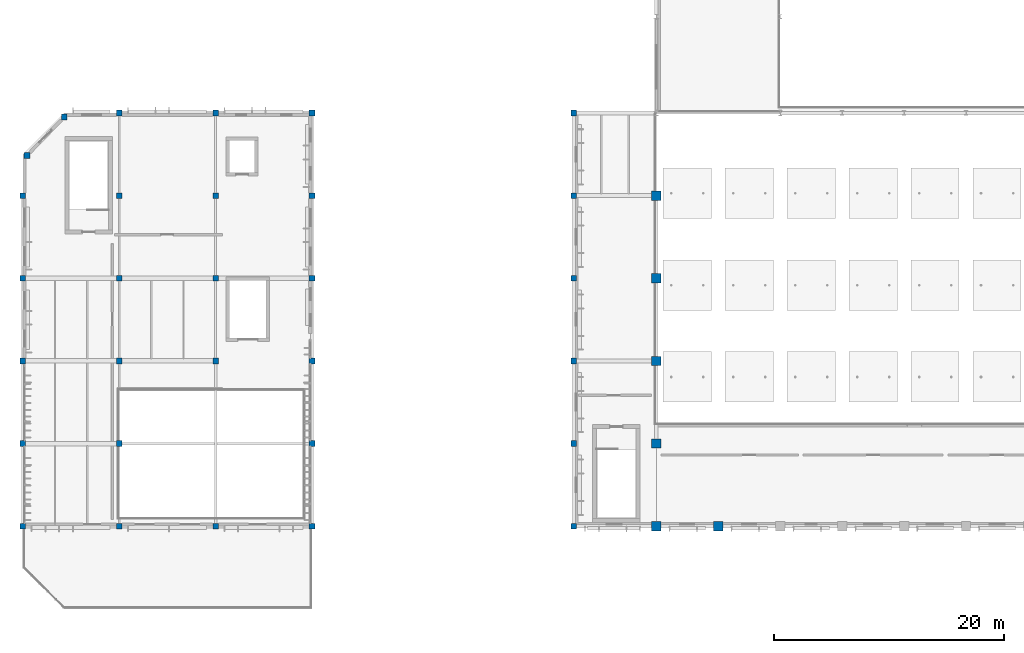
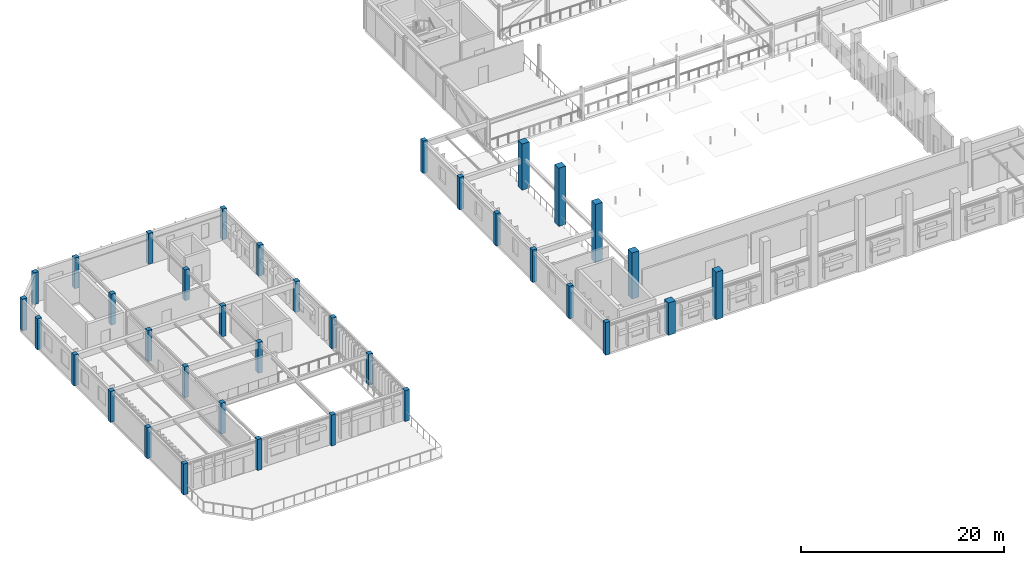
# One storey, part 1 of 44: 36 columns.
"""IFC4 building model written with IfcOpenShell, lengths in metres."""

from ifc_helpers import new_model, si_unit, direction, frame, origin, origin_2d, place, context, subcontext, project, spatial, rectangle, extrude, material, material_profile, profile_set, type_object, element, save


model = new_model("IFC4")

# Units and contexts
model_context = context("Model", 3, precision=1e-05, world=origin(), true_north=direction((0.0, 1.0)))
body_context = subcontext(model_context, "Body", "Model", "MODEL_VIEW")
ifc_project = project(units=[si_unit("LENGTHUNIT", "METRE"), si_unit("AREAUNIT", "SQUARE_METRE"), si_unit("VOLUMEUNIT", "CUBIC_METRE"), si_unit("PLANEANGLEUNIT", "RADIAN"), si_unit("MASSUNIT", "GRAM", prefix="KILO")], contexts=[model_context])

# Site, building, storey
site_placement = place(None, origin())
site = spatial("IfcSite", under=ifc_project, at=site_placement, CompositionType="ELEMENT")
building_placement = place(site_placement, origin())
building = spatial("IfcBuilding", under=site, at=building_placement, Name="Tazoul Stagehouse", CompositionType="ELEMENT")
storey_placement = place(building_placement, frame((0.0, 0.0, 13.199951171875)))
storey = spatial("IfcBuildingStorey", under=building, at=storey_placement, Name="L03", CompositionType="ELEMENT", Elevation=13.199951171875)

# Columns
ifc_material = material(Name="Concrete C40/50", Category="concrete")
ifc_material_profile_1 = material_profile(ifc_material, rectangle(XDim=0.5, YDim=0.5, at=origin_2d()), Name="RC 500x500")
ifc_profile_set_1 = profile_set([ifc_material_profile_1], Name="Concrete C40/50")
column_type_1 = type_object("IfcColumnType", Name="RC Column 500x500", PredefinedType="COLUMN", material=ifc_profile_set_1)
for number, where, z_axis, x_axis, name in (
    (1, (10.800048828125, 59.0, 0.0), (0.0, 0.0, 1.0), (1.0, 0.0, 0.0), "L03 Column C-02 at 2/J"),
    (2, (10.800048828125, 66.199951171875, 0.0), (0.0, 0.0, 1.0), (1.0, 0.0, 0.0), "L03 Column C-02 at 2/K"),
    (3, (10.800048828125, 73.39990234375, 0.0), (0.0, 0.0, 1.0), (1.0, 0.0, 0.0), "L03 Column C-02 at 2/L"),
    (4, (10.800048828125, 80.60009765625, 0.0), (0.0, 0.0, 1.0), (1.0, 0.0, 0.0), "L03 Column C-02 at 2/M"),
    (5, (19.199951171875, 66.199951171875, 0.0), (0.0, 0.0, 1.0), (1.0, 0.0, 0.0), "L03 Column C-02 at 3/K"),
    (6, (19.199951171875, 73.39990234375, 0.0), (0.0, 0.0, 1.0), (1.0, 0.0, 0.0), "L03 Column C-02 at 3/L"),
    (7, (19.199951171875, 80.60009765625, 0.0), (0.0, 0.0, 1.0), (1.0, 0.0, 0.0), "L03 Column C-02 at 3/M"),
):
    element("IfcColumn", number, at=place(storey_placement, frame(where, z_axis=z_axis, x_axis=x_axis)), inside=storey, type_object=column_type_1, Name=name, PredefinedType="COLUMN", context=body_context, shape_type="SweptSolid", body=[
        extrude(rectangle(XDim=0.5, YDim=0.5, at=origin_2d()), origin(), (0.0, 0.0, 1.0), 3.7099609375),
    ])
ifc_material_profile_2 = material_profile(ifc_material, rectangle(XDim=0.5, YDim=0.5, at=origin_2d()), Name="RC 500x500")
ifc_profile_set_2 = profile_set([ifc_material_profile_2], Name="Concrete C40/50")
column_type_2 = type_object("IfcColumnType", Name="RC Column 500x500 (Exterior)", PredefinedType="COLUMN", material=ifc_profile_set_2)
for number, where, z_axis, x_axis, name in (
    (8, (2.39990234375, 51.800048828125, 0.0), (0.0, 0.0, 1.0), (1.0, 0.0, 0.0), "L03 Column C-02E at 1/H"),
    (9, (2.39990234375, 59.0, 0.0), (0.0, 0.0, 1.0), (1.0, 0.0, 0.0), "L03 Column C-02E at 1/J"),
    (10, (2.39990234375, 66.199951171875, 0.0), (0.0, 0.0, 1.0), (1.0, 0.0, 0.0), "L03 Column C-02E at 1/K"),
    (11, (2.39990234375, 73.39990234375, 0.0), (0.0, 0.0, 1.0), (1.0, 0.0, 0.0), "L03 Column C-02E at 1/L"),
    (12, (2.39990234375, 80.60009765625, 0.0), (0.0, 0.0, 1.0), (1.0, 0.0, 0.0), "L03 Column C-02E at 1/M"),
    (13, (10.800048828125, 51.800048828125, 0.0), (0.0, 0.0, 1.0), (1.0, 0.0, 0.0), "L03 Column C-02E at 2/H"),
    (14, (10.800048828125, 87.800048828125, 0.0), (0.0, 0.0, 1.0), (1.0, 0.0, 0.0), "L03 Column C-02E at 2/N"),
    (15, (19.199951171875, 51.800048828125, 0.0), (0.0, 0.0, 1.0), (1.0, 0.0, 0.0), "L03 Column C-02E at 3/H"),
    (16, (19.199951171875, 87.800048828125, 0.0), (0.0, 0.0, 1.0), (1.0, 0.0, 0.0), "L03 Column C-02E at 3/N"),
    (17, (27.60009765625, 51.800048828125, 0.0), (0.0, 0.0, 1.0), (1.0, 0.0, 0.0), "L03 Column C-02E at 4/H"),
    (18, (27.60009765625, 59.0, 0.0), (0.0, 0.0, 1.0), (1.0, 0.0, 0.0), "L03 Column C-02E at 4/J"),
    (19, (27.60009765625, 66.199951171875, 0.0), (0.0, 0.0, 1.0), (1.0, 0.0, 0.0), "L03 Column C-02E at 4/K"),
    (20, (27.60009765625, 73.39990234375, 0.0), (0.0, 0.0, 1.0), (1.0, 0.0, 0.0), "L03 Column C-02E at 4/L"),
    (21, (27.60009765625, 80.60009765625, 0.0), (0.0, 0.0, 1.0), (1.0, 0.0, 0.0), "L03 Column C-02E at 4/M"),
    (22, (27.60009765625, 87.800048828125, 0.0), (0.0, 0.0, 1.0), (1.0, 0.0, 0.0), "L03 Column C-02E at 4/N"),
):
    element("IfcColumn", number, at=place(storey_placement, frame(where, z_axis=z_axis, x_axis=x_axis)), inside=storey, type_object=column_type_2, Name=name, PredefinedType="COLUMN", context=body_context, shape_type="SweptSolid", body=[
        extrude(rectangle(XDim=0.5, YDim=0.5, at=origin_2d()), origin(), (0.0, 0.0, 1.0), 3.7099609375),
    ])
for number, where, z_axis, x_axis, name in (
    (23, (50.39990234375, 51.800048828125, 0.0), (0.0, 0.0, 1.0), (1.0, 0.0, 0.0), "L03 Column C-02E at 7/H"),
    (24, (50.39990234375, 59.0, 0.0), (0.0, 0.0, 1.0), (1.0, 0.0, 0.0), "L03 Column C-02E at 7/J"),
    (25, (50.39990234375, 66.199951171875, 0.0), (0.0, 0.0, 1.0), (1.0, 0.0, 0.0), "L03 Column C-02E at 7/K"),
    (26, (50.39990234375, 73.39990234375, 0.0), (0.0, 0.0, 1.0), (1.0, 0.0, 0.0), "L03 Column C-02E at 7/L"),
    (27, (50.39990234375, 80.60009765625, 0.0), (0.0, 0.0, 1.0), (1.0, 0.0, 0.0), "L03 Column C-02E at 7/M"),
    (28, (50.39990234375, 87.800048828125, 0.0), (0.0, 0.0, 1.0), (1.0, 0.0, 0.0), "L03 Column C-02E at 7/N"),
):
    element("IfcColumn", number, at=place(storey_placement, frame(where, z_axis=z_axis, x_axis=x_axis)), inside=storey, type_object=column_type_2, Name=name, PredefinedType="COLUMN", context=body_context, shape_type="SweptSolid", body=[
        extrude(rectangle(XDim=0.5, YDim=0.5, at=origin_2d()), origin(), (0.0, 0.0, 1.0), 3.900146484375),
    ])
for number, where, z_axis, x_axis, name in (
    (29, (6.0, 87.449951171875, 0.0), (0.0, 0.0, 1.0), (1.0, 0.0, 0.0), "L03 Black-Box Chamfer Column C-02E (1)"),
    (30, (2.75, 84.10009765625, 0.0), (0.0, 0.0, 1.0), (1.0, 0.0, 0.0), "L03 Black-Box Chamfer Column C-02E (2)"),
):
    element("IfcColumn", number, at=place(storey_placement, frame(where, z_axis=z_axis, x_axis=x_axis)), inside=storey, type_object=column_type_2, Name=name, PredefinedType="COLUMN", context=body_context, shape_type="SweptSolid", body=[
        extrude(rectangle(XDim=0.5, YDim=0.5, at=origin_2d()), origin(), (0.0, 0.0, 1.0), 3.820068359375),
    ])
ifc_material_profile_3 = material_profile(ifc_material, rectangle(XDim=0.800048828125, YDim=0.800048828125, at=origin_2d()), Name="RC 800x800")
ifc_profile_set_3 = profile_set([ifc_material_profile_3], Name="Concrete C40/50")
column_type_3 = type_object("IfcColumnType", Name="RC Column 800x800", PredefinedType="COLUMN", material=ifc_profile_set_3)
column_1_placement = place(storey_placement, frame((57.60009765625, 59.0, 0.0), z_axis=(0.0, 0.0, 1.0), x_axis=(1.0, 0.0, 0.0)))
element("IfcColumn", 31, at=column_1_placement, inside=storey, type_object=column_type_3, Name="L03 Column C-05 at 8/J", PredefinedType="COLUMN", context=body_context, shape_type="SweptSolid", body=[
    extrude(rectangle(XDim=0.800048828125, YDim=0.800048828125, at=origin_2d()), origin(), (0.0, 0.0, 1.0), 5.542236328125),
])
ifc_material_profile_4 = material_profile(ifc_material, rectangle(XDim=0.800048828125, YDim=0.800048828125, at=origin_2d()), Name="RC 800x800")
ifc_profile_set_4 = profile_set([ifc_material_profile_4], Name="Concrete C40/50")
column_type_4 = type_object("IfcColumnType", Name="RC Column 800x800 (Exterior)", PredefinedType="COLUMN", material=ifc_profile_set_4)
column_2_placement = place(storey_placement, frame((57.60009765625, 51.800048828125, 0.0), z_axis=(0.0, 0.0, 1.0), x_axis=(1.0, 0.0, 0.0)))
element("IfcColumn", 32, at=column_2_placement, inside=storey, type_object=column_type_4, Name="L03 Column C-05E at 8/H", PredefinedType="COLUMN", context=body_context, shape_type="SweptSolid", body=[
    extrude(rectangle(XDim=0.800048828125, YDim=0.800048828125, at=origin_2d()), origin(), (0.0, 0.0, 1.0), 3.900146484375),
])
for number, where, z_axis, x_axis, name in (
    (33, (57.60009765625, 66.199951171875, 0.0), (0.0, 0.0, 1.0), (1.0, 0.0, 0.0), "L03 Column C-05E at 8/K"),
    (34, (57.60009765625, 73.39990234375, 0.0), (0.0, 0.0, 1.0), (1.0, 0.0, 0.0), "L03 Column C-05E at 8/L"),
):
    element("IfcColumn", number, at=place(storey_placement, frame(where, z_axis=z_axis, x_axis=x_axis)), inside=storey, type_object=column_type_4, Name=name, PredefinedType="COLUMN", context=body_context, shape_type="SweptSolid", body=[
        extrude(rectangle(XDim=0.800048828125, YDim=0.800048828125, at=origin_2d()), origin(), (0.0, 0.0, 1.0), 7.00732421875),
    ])
column_3_placement = place(storey_placement, frame((57.60009765625, 80.60009765625, 0.0), z_axis=(0.0, 0.0, 1.0), x_axis=(1.0, 0.0, 0.0)))
element("IfcColumn", 35, at=column_3_placement, inside=storey, type_object=column_type_4, Name="L03 Column C-05E at 8/M", PredefinedType="COLUMN", context=body_context, shape_type="SweptSolid", body=[
    extrude(rectangle(XDim=0.800048828125, YDim=0.800048828125, at=origin_2d()), origin(), (0.0, 0.0, 1.0), 5.542236328125),
])
column_4_placement = place(storey_placement, frame((63.0, 51.800048828125, 0.0), z_axis=(0.0, 0.0, 1.0), x_axis=(1.0, 0.0, 0.0)))
element("IfcColumn", 36, at=column_4_placement, inside=storey, type_object=column_type_4, Name="L03 Column C-05E at 9/H", PredefinedType="COLUMN", context=body_context, shape_type="SweptSolid", body=[
    extrude(rectangle(XDim=0.800048828125, YDim=0.800048828125, at=origin_2d()), origin(), (0.0, 0.0, 1.0), 5.705078125),
])

save(model, "model.ifc")
